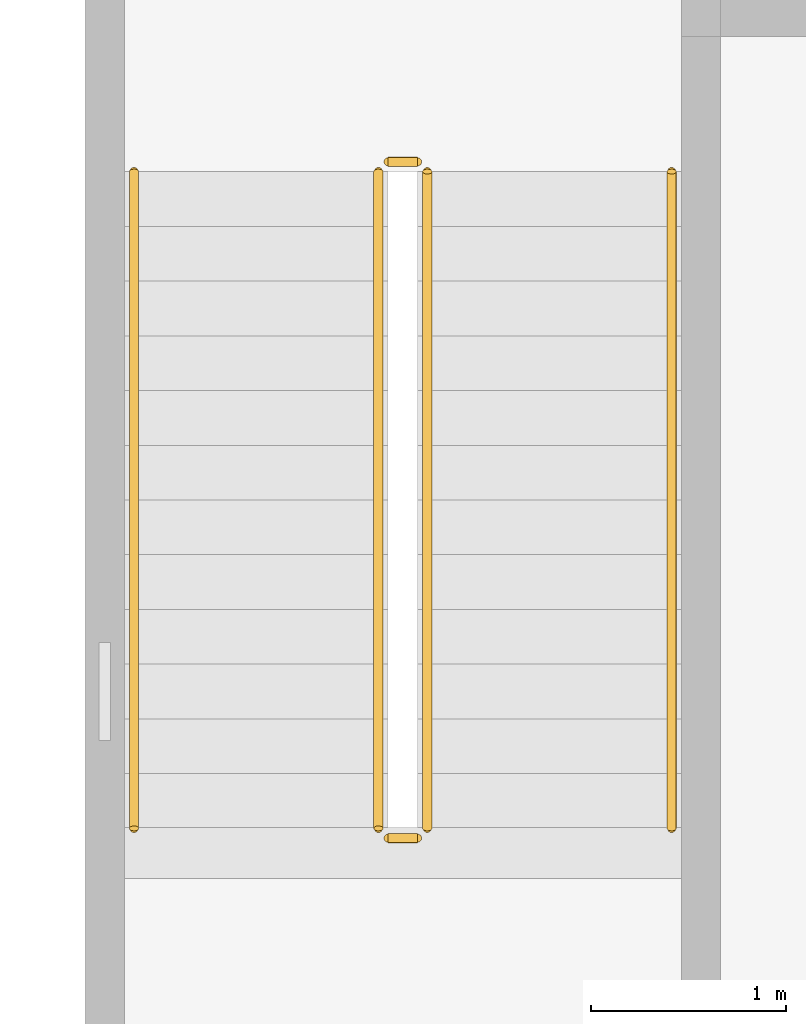
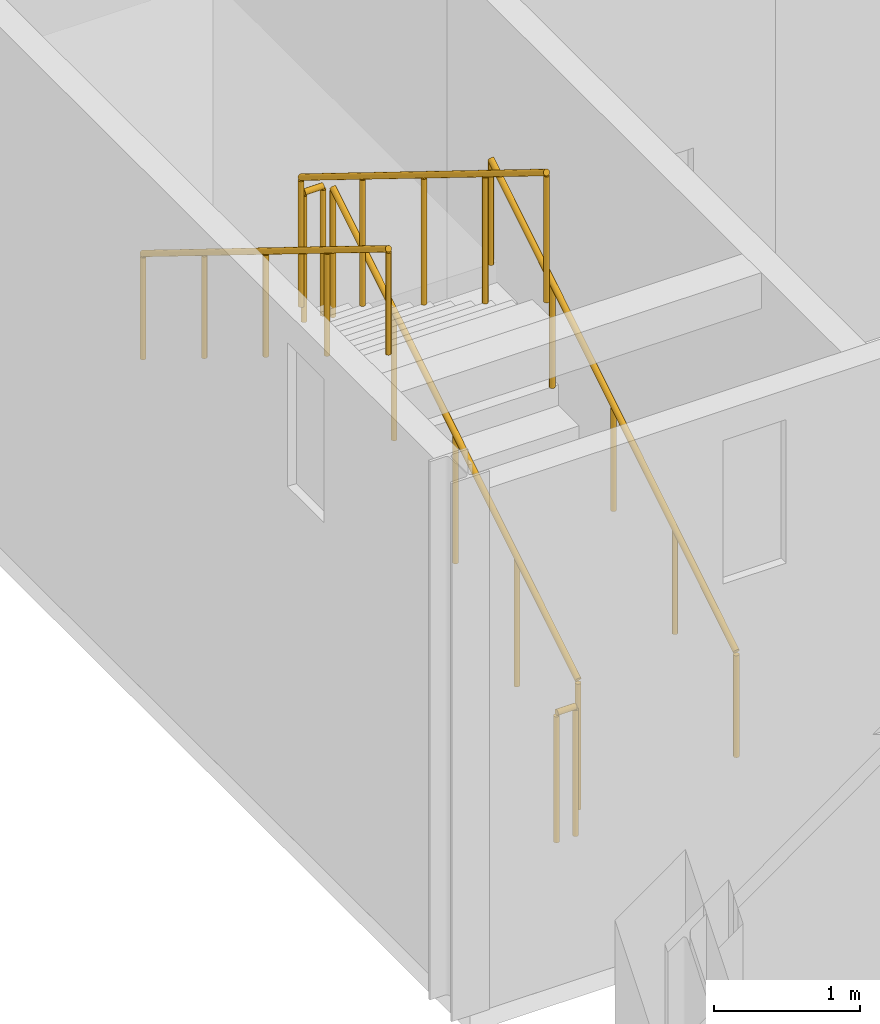
# One storey, part 99 of 111: 6 railings.
"""IFC4 building model written with IfcOpenShell, lengths in metres."""

from ifc_helpers import new_model, si_unit, direction, frame, origin, origin_2d, place, context, subcontext, project, spatial, circle, extrude, material, type_object, element, save


model = new_model("IFC4")

# Units and contexts
model_context = context("Model", 3, precision=1e-05, world=origin(), true_north=direction((0.0, 1.0)))
body_context = subcontext(model_context, "Body", "Model", "MODEL_VIEW")
ifc_project = project(units=[si_unit("LENGTHUNIT", "METRE"), si_unit("AREAUNIT", "SQUARE_METRE"), si_unit("VOLUMEUNIT", "CUBIC_METRE"), si_unit("PLANEANGLEUNIT", "RADIAN"), si_unit("MASSUNIT", "GRAM", prefix="KILO")], contexts=[model_context])

# Site, building, storey
site_placement = place(None, origin())
site = spatial("IfcSite", under=ifc_project, at=site_placement, CompositionType="ELEMENT")
building_placement = place(site_placement, origin())
building = spatial("IfcBuilding", under=site, at=building_placement, Name="Kallimachos Central Library", CompositionType="ELEMENT")
storey_placement = place(building_placement, frame((0.0, 0.0, 14.39990234375)))
storey = spatial("IfcBuildingStorey", under=building, at=storey_placement, Name="L03", CompositionType="ELEMENT", Elevation=14.39990234375)

# Railings
ifc_material_1 = material(Name="Wrought iron")
railing_type_1 = type_object("IfcRailingType", Name="Wrought-iron handrail 900", PredefinedType="HANDRAIL", material=ifc_material_1)
railing_1_placement = place(storey_placement, frame((68.5, 88.550048828125, 0.173095703125)))
element("IfcRailing", 1, at=railing_1_placement, inside=storey, type_object=railing_type_1, Name="L03 ST1 stair handrail 1", PredefinedType="HANDRAIL", context=body_context, shape_type="SweptSolid", body=[
    extrude(circle(Radius=0.02392578125, at=origin_2d()), frame((0.0, 0.0, 0.8759765625), z_axis=(0.0, 0.850606129759, 0.525803396734), x_axis=(-1.0, 0.0, 0.0)), (0.0, 0.0, 1.0), 3.949951171875),
    extrude(circle(Radius=0.02099609375, at=origin_2d()), origin(), (0.0, 0.0, 1.0), 0.851806640625),
    extrude(circle(Radius=0.02099609375, at=origin_2d()), frame((0.0, 0.83984375, 0.519287109375)), (0.0, 0.0, 1.0), 0.851806640625),
    extrude(circle(Radius=0.02099609375, at=origin_2d()), frame((0.0, 1.679931640625, 1.03857421875)), (0.0, 0.0, 1.0), 0.851806640625),
    extrude(circle(Radius=0.02099609375, at=origin_2d()), frame((0.0, 2.52001953125, 1.5576171875)), (0.0, 0.0, 1.0), 0.851806640625),
    extrude(circle(Radius=0.02099609375, at=origin_2d()), frame((0.0, 3.35986328125, 2.076904296875)), (0.0, 0.0, 1.0), 0.851806640625),
])
railing_2_placement = place(storey_placement, frame((65.75, 91.909912109375, 2.423095703125)))
element("IfcRailing", 2, at=railing_2_placement, inside=storey, type_object=railing_type_1, Name="L03 ST1 stair handrail 2", PredefinedType="HANDRAIL", context=body_context, shape_type="SweptSolid", body=[
    extrude(circle(Radius=0.02392578125, at=origin_2d()), frame((0.0, 0.0, 0.8759765625), z_axis=(0.0, -0.850606129759, 0.525803396734), x_axis=(1.0, 0.0, 0.0)), (0.0, 0.0, 1.0), 3.949951171875),
    extrude(circle(Radius=0.02099609375, at=origin_2d()), origin(), (0.0, 0.0, 1.0), 0.851806640625),
    extrude(circle(Radius=0.02099609375, at=origin_2d()), frame((0.0, -0.83984375, 0.519287109375)), (0.0, 0.0, 1.0), 0.851806640625),
    extrude(circle(Radius=0.02099609375, at=origin_2d()), frame((0.0, -1.679931640625, 1.03857421875)), (0.0, 0.0, 1.0), 0.851806640625),
    extrude(circle(Radius=0.02099609375, at=origin_2d()), frame((0.0, -2.52001953125, 1.5576171875)), (0.0, 0.0, 1.0), 0.851806640625),
    extrude(circle(Radius=0.02099609375, at=origin_2d()), frame((0.0, -3.35986328125, 2.076904296875)), (0.0, 0.0, 1.0), 0.851806640625),
])
ifc_material_2 = material(Name="Wrought iron")
railing_type_2 = type_object("IfcRailingType", Name="Wrought-iron stair guard 1100", PredefinedType="GUARDRAIL", material=ifc_material_2)
railing_3_placement = place(storey_placement, frame((67.25, 88.550048828125, 0.173095703125)))
element("IfcRailing", 3, at=railing_3_placement, inside=storey, type_object=railing_type_2, Name="L03 ST1 stair guard 1", PredefinedType="GUARDRAIL", context=body_context, shape_type="SweptSolid", body=[
    extrude(circle(Radius=0.02392578125, at=origin_2d()), frame((0.0, 0.0, 1.076171875), z_axis=(0.0, 0.850606129759, 0.525803396734), x_axis=(-1.0, 0.0, 0.0)), (0.0, 0.0, 1.0), 3.949951171875),
    extrude(circle(Radius=0.02099609375, at=origin_2d()), origin(), (0.0, 0.0, 1.0), 1.052001953125),
    extrude(circle(Radius=0.02099609375, at=origin_2d()), frame((0.0, 0.83984375, 0.519287109375)), (0.0, 0.0, 1.0), 1.052001953125),
    extrude(circle(Radius=0.02099609375, at=origin_2d()), frame((0.0, 1.679931640625, 1.03857421875)), (0.0, 0.0, 1.0), 1.052001953125),
    extrude(circle(Radius=0.02099609375, at=origin_2d()), frame((0.0, 2.52001953125, 1.5576171875)), (0.0, 0.0, 1.0), 1.052001953125),
    extrude(circle(Radius=0.02099609375, at=origin_2d()), frame((0.0, 3.35986328125, 2.076904296875)), (0.0, 0.0, 1.0), 1.052001953125),
])
railing_4_placement = place(storey_placement, frame((67.199951171875, 91.9599609375, 2.25)))
element("IfcRailing", 4, at=railing_4_placement, inside=storey, type_object=railing_type_2, Name="L03 ST1 stair guard 2", PredefinedType="GUARDRAIL", context=body_context, shape_type="SweptSolid", body=[
    extrude(circle(Radius=0.02392578125, at=origin_2d()), frame((0.0, 0.0, 1.076171875), z_axis=(-1.0, 0.0, 0.0), x_axis=(0.0, -1.0, 0.0)), (0.0, 0.0, 1.0), 0.14990234375),
    extrude(circle(Radius=0.02099609375, at=origin_2d()), origin(), (0.0, 0.0, 1.0), 1.052001953125),
    extrude(circle(Radius=0.02099609375, at=origin_2d()), frame((-0.14990234375, 0.0, 0.0)), (0.0, 0.0, 1.0), 1.052001953125),
])
railing_5_placement = place(storey_placement, frame((67.0, 91.909912109375, 2.423095703125)))
element("IfcRailing", 5, at=railing_5_placement, inside=storey, type_object=railing_type_2, Name="L03 ST1 stair guard 3", PredefinedType="GUARDRAIL", context=body_context, shape_type="SweptSolid", body=[
    extrude(circle(Radius=0.02392578125, at=origin_2d()), frame((0.0, 0.0, 1.076171875), z_axis=(0.0, -0.850606129759, 0.525803396734), x_axis=(1.0, 0.0, 0.0)), (0.0, 0.0, 1.0), 3.949951171875),
    extrude(circle(Radius=0.02099609375, at=origin_2d()), origin(), (0.0, 0.0, 1.0), 1.052001953125),
    extrude(circle(Radius=0.02099609375, at=origin_2d()), frame((0.0, -0.83984375, 0.519287109375)), (0.0, 0.0, 1.0), 1.052001953125),
    extrude(circle(Radius=0.02099609375, at=origin_2d()), frame((0.0, -1.679931640625, 1.03857421875)), (0.0, 0.0, 1.0), 1.052001953125),
    extrude(circle(Radius=0.02099609375, at=origin_2d()), frame((0.0, -2.52001953125, 1.5576171875)), (0.0, 0.0, 1.0), 1.052001953125),
    extrude(circle(Radius=0.02099609375, at=origin_2d()), frame((0.0, -3.35986328125, 2.076904296875)), (0.0, 0.0, 1.0), 1.052001953125),
])
railing_6_placement = place(storey_placement, frame((67.199951171875, 88.5, 0.0)))
element("IfcRailing", 6, at=railing_6_placement, inside=storey, type_object=railing_type_2, Name="L03 ST1 stair guard 4", PredefinedType="GUARDRAIL", context=body_context, shape_type="SweptSolid", body=[
    extrude(circle(Radius=0.02392578125, at=origin_2d()), frame((0.0, 0.0, 1.076171875), z_axis=(-1.0, 0.0, 0.0), x_axis=(0.0, -1.0, 0.0)), (0.0, 0.0, 1.0), 0.14990234375),
    extrude(circle(Radius=0.02099609375, at=origin_2d()), origin(), (0.0, 0.0, 1.0), 1.052001953125),
    extrude(circle(Radius=0.02099609375, at=origin_2d()), frame((-0.14990234375, 0.0, 0.0)), (0.0, 0.0, 1.0), 1.052001953125),
])

save(model, "model.ifc")
